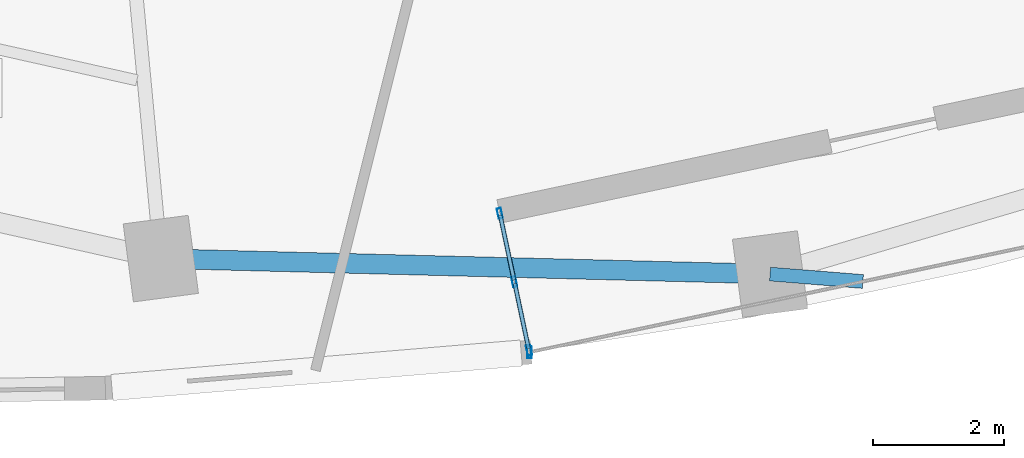
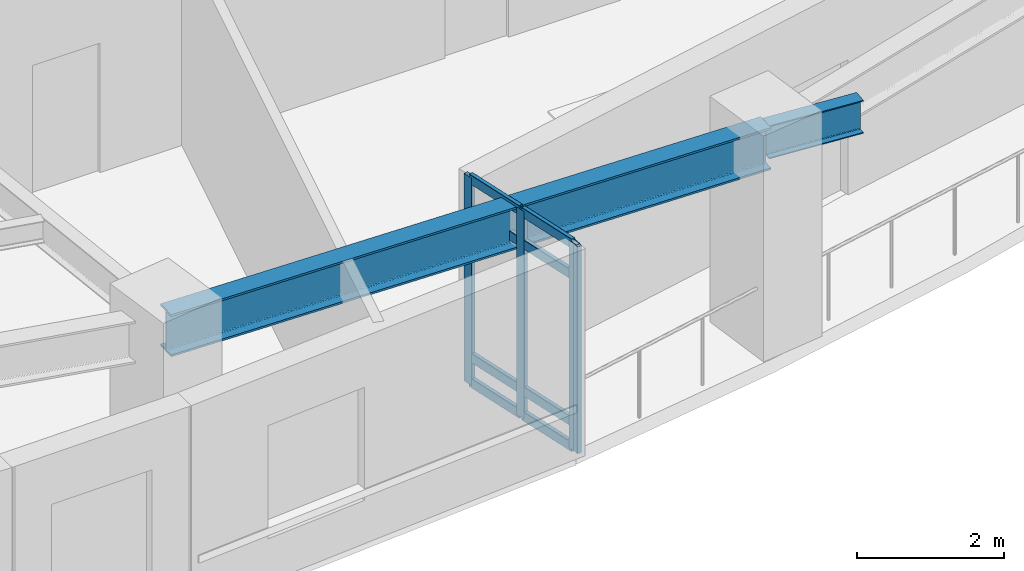
# One storey, part 2 of 12: 12 members, 2 beams, 1 element without a shape of its own.
"""IFC4 building model written with IfcOpenShell, lengths in metres."""

from ifc_helpers import new_model, si_unit, direction, frame, origin, origin_2d, place, context, subcontext, project, spatial, hollow_rectangle, i_section, extrude, material, layer, layer_set, material_profile, profile_set, type_object, element, aggregate, save


model = new_model("IFC4")

# Units and contexts
model_context = context("Model", 3, precision=1e-05, world=origin(), true_north=direction((0.0, 1.0)))
body_context = subcontext(model_context, "Body", "Model", "MODEL_VIEW")
ifc_project = project(units=[si_unit("LENGTHUNIT", "METRE"), si_unit("AREAUNIT", "SQUARE_METRE"), si_unit("VOLUMEUNIT", "CUBIC_METRE"), si_unit("PLANEANGLEUNIT", "RADIAN"), si_unit("MASSUNIT", "GRAM", prefix="KILO")], contexts=[model_context])

# Site, building, storey
site_placement = place(None, origin())
site = spatial("IfcSite", under=ifc_project, at=site_placement, CompositionType="ELEMENT")
building_placement = place(site_placement, origin())
building = spatial("IfcBuilding", under=site, at=building_placement, Name="Ndelora Gate Hotel", CompositionType="ELEMENT")
storey_placement = place(building_placement, frame((0.0, 0.0, 79.25)))
storey = spatial("IfcBuildingStorey", under=building, at=storey_placement, Name="L19", CompositionType="ELEMENT", Elevation=79.25)

# Beams
ifc_material_1 = material(Name="Steel S355", Category="steel")
ifc_material_profile_1 = material_profile(ifc_material_1, i_section(OverallWidth=0.2099609375, OverallDepth=0.550048828125, WebThickness=0.010986328125, FlangeThickness=0.01708984375, FilletRadius=0.02392578125, at=origin_2d()), Name="IPE 550")
ifc_profile_set_1 = profile_set([ifc_material_profile_1], Name="Steel S355")
beam_type_1 = type_object("IfcBeamType", Name="BM-RAD-550", PredefinedType="BEAM", material=ifc_profile_set_1)
beam_1_placement = place(storey_placement, frame((2.2646484375, -17.20166015625, 3.1650390625), z_axis=(0.996814185316, -0.079758886357, 0.0), x_axis=(0.079758886357, 0.996814185316, 0.0)))
element("IfcBeam", 1, at=beam_1_placement, inside=storey, type_object=beam_type_1, Name="L19 Sky-Garden Loggia Column Bracket 2", PredefinedType="BEAM", context=body_context, shape_type="SweptSolid", body=[
    extrude(i_section(OverallWidth=0.2099609375, OverallDepth=0.550048828125, WebThickness=0.010986328125, FlangeThickness=0.01708984375, FilletRadius=0.02392578125, at=origin_2d()), origin(), (0.0, 0.0, 1.0), 1.42041015625),
])
ifc_material_profile_2 = material_profile(ifc_material_1, i_section(OverallWidth=0.300048828125, OverallDepth=0.699951171875, WebThickness=0.01708984375, FlangeThickness=0.031982421875, FilletRadius=0.027099609375, at=origin_2d()), Name="HEB 700")
ifc_profile_set_2 = profile_set([ifc_material_profile_2], Name="Steel S355")
beam_type_2 = type_object("IfcBeamType", Name="BM-RING-700", PredefinedType="SPANDREL", material=ifc_profile_set_2)
beam_2_placement = place(storey_placement, frame((-7.027587890625, -16.96630859375, 3.090087890625), z_axis=(0.999679406439, -0.025319643409, 0.0), x_axis=(0.025319643409, 0.999679406439, 0.0)))
element("IfcBeam", 2, at=beam_2_placement, inside=storey, type_object=beam_type_2, Name="L19 Perimeter Spandrel Girder 6", PredefinedType="SPANDREL", context=body_context, shape_type="SweptSolid", body=[
    extrude(i_section(OverallWidth=0.300048828125, OverallDepth=0.699951171875, WebThickness=0.01708984375, FlangeThickness=0.031982421875, FilletRadius=0.027099609375, at=origin_2d()), origin(), (0.0, 0.0, 1.0), 9.295166015625),
])

# Curtain wall, members
ifc_material_2 = material(Name="Bronze Anodised Unitised Aluminium and Low-E Glass", Category="aluminium")
ifc_layer = layer(ifc_material_2, 0.199951171875)
ifc_layer_set = layer_set([ifc_layer], Name="Bronze Anodised Unitised Aluminium and Low-E Glass")
curtain_wall_type = type_object("IfcCurtainWallType", Name="CW-SYS-3", PredefinedType="NOTDEFINED", material=ifc_layer_set)
curtain_wall_placement = place(storey_placement, origin())
curtain_wall = element("IfcCurtainWall", 3, at=curtain_wall_placement, inside=storey, type_object=curtain_wall_type, Name="L19 Sky-Garden Loggia Side Curtain Wall CW3-1", PredefinedType="NOTDEFINED")
ifc_material_3 = material(Name="Bronze Anodised Aluminium 6063-T6", Category="aluminium")
ifc_material_profile_3 = material_profile(ifc_material_3, hollow_rectangle(XDim=0.06494140625, YDim=0.159912109375, WallThickness=0.00390625, InnerFilletRadius=0.00390625, OuterFilletRadius=0.008056640625, at=origin_2d()), Name="ALU 160x65x4")
ifc_profile_set_3 = profile_set([ifc_material_profile_3], Name="Bronze Anodised Aluminium 6063-T6")
member_type_1 = type_object("IfcMemberType", Name="MB-CW-MUL150", PredefinedType="MULLION", material=ifc_profile_set_3)
member_1_placement = place(storey_placement, frame((-1.856689453125, -16.27587890625, -0.00390625), z_axis=(0.0, 0.0, 1.0), x_axis=(0.978147643724, 0.207911488567, 0.0)))
member_1 = element("IfcMember", 4, at=member_1_placement, type_object=member_type_1, Name="CW3 mullion 1", PredefinedType="MULLION", context=body_context, shape_type="SweptSolid", body=[
    extrude(hollow_rectangle(XDim=0.06494140625, YDim=0.159912109375, WallThickness=0.00390625, InnerFilletRadius=0.00390625, OuterFilletRadius=0.008056640625, at=origin_2d()), origin(), (0.0, 0.0, 1.0), 3.447998046875),
])
member_2_placement = place(storey_placement, frame((-1.634765625, -17.320068359375, -0.00390625), z_axis=(0.0, 0.0, 1.0), x_axis=(0.978147643724, 0.207911488567, 0.0)))
member_2 = element("IfcMember", 5, at=member_2_placement, type_object=member_type_1, Name="CW3 mullion 2", PredefinedType="MULLION", context=body_context, shape_type="SweptSolid", body=[
    extrude(hollow_rectangle(XDim=0.06494140625, YDim=0.159912109375, WallThickness=0.00390625, InnerFilletRadius=0.00390625, OuterFilletRadius=0.008056640625, at=origin_2d()), origin(), (0.0, 0.0, 1.0), 3.447998046875),
])
member_3_placement = place(storey_placement, frame((-1.412841796875, -18.3642578125, -0.00390625), z_axis=(0.0, 0.0, 1.0), x_axis=(0.978147643724, 0.207911488567, 0.0)))
member_3 = element("IfcMember", 6, at=member_3_placement, type_object=member_type_1, Name="CW3 mullion 3", PredefinedType="MULLION", context=body_context, shape_type="SweptSolid", body=[
    extrude(hollow_rectangle(XDim=0.06494140625, YDim=0.159912109375, WallThickness=0.00390625, InnerFilletRadius=0.00390625, OuterFilletRadius=0.008056640625, at=origin_2d()), origin(), (0.0, 0.0, 1.0), 3.447998046875),
])
ifc_material_profile_4 = material_profile(ifc_material_3, hollow_rectangle(XDim=0.070068359375, YDim=0.179931640625, WallThickness=0.0048828125, InnerFilletRadius=0.0048828125, OuterFilletRadius=0.010009765625, at=origin_2d()), Name="ALU 180x70x5")
ifc_profile_set_4 = profile_set([ifc_material_profile_4], Name="Bronze Anodised Aluminium 6063-T6")
member_type_2 = type_object("IfcMemberType", Name="MB-CW-MUL180", PredefinedType="MULLION", material=ifc_profile_set_4)
member_4_placement = place(storey_placement, frame((-1.406005859375, -18.39599609375, 0.0), z_axis=(0.0, 0.0, 1.0), x_axis=(1.0, 0.0, 0.0)))
member_4 = element("IfcMember", 7, at=member_4_placement, type_object=member_type_2, Name="L19 Sky-Garden Loggia Corner Mullion Post 1", PredefinedType="MULLION", context=body_context, shape_type="SweptSolid", body=[
    extrude(hollow_rectangle(XDim=0.070068359375, YDim=0.179931640625, WallThickness=0.0048828125, InnerFilletRadius=0.0048828125, OuterFilletRadius=0.010009765625, at=origin_2d()), origin(), (0.0, 0.0, 1.0), 3.43994140625),
])
ifc_material_profile_5 = material_profile(ifc_material_3, hollow_rectangle(XDim=0.06494140625, YDim=0.159912109375, WallThickness=0.00390625, InnerFilletRadius=0.00390625, OuterFilletRadius=0.008056640625, at=origin_2d()), Name="ALU 160x65x4")
ifc_profile_set_5 = profile_set([ifc_material_profile_5], Name="Bronze Anodised Aluminium 6063-T6")
member_type_3 = type_object("IfcMemberType", Name="MB-CW-TRN150", PredefinedType="USERDEFINED", material=ifc_profile_set_5)
member_5_placement = place(storey_placement, frame((-1.85107421875, -16.302001953125, 0.032470703125), z_axis=(0.207950868925, -0.97813927235, 0.0), x_axis=(0.97813927235, 0.207950868925, 0.0)))
member_5 = element("IfcMember", 8, at=member_5_placement, type_object=member_type_3, Name="CW3 transom 1.1", ObjectType="TRANSOM", PredefinedType="USERDEFINED", context=body_context, shape_type="SweptSolid", body=[
    extrude(hollow_rectangle(XDim=0.06494140625, YDim=0.159912109375, WallThickness=0.00390625, InnerFilletRadius=0.00390625, OuterFilletRadius=0.008056640625, at=origin_2d()), origin(), (0.0, 0.0, 1.0), 1.014404296875),
])
member_6_placement = place(storey_placement, frame((-1.85107421875, -16.302001953125, 0.449951171875), z_axis=(0.207950868925, -0.97813927235, 0.0), x_axis=(0.97813927235, 0.207950868925, 0.0)))
member_6 = element("IfcMember", 9, at=member_6_placement, type_object=member_type_3, Name="CW3 transom 1.2", ObjectType="TRANSOM", PredefinedType="USERDEFINED", context=body_context, shape_type="SweptSolid", body=[
    extrude(hollow_rectangle(XDim=0.06494140625, YDim=0.159912109375, WallThickness=0.00390625, InnerFilletRadius=0.00390625, OuterFilletRadius=0.008056640625, at=origin_2d()), origin(), (0.0, 0.0, 1.0), 1.014404296875),
])
member_7_placement = place(storey_placement, frame((-1.85107421875, -16.302001953125, 2.889892578125), z_axis=(0.207950868925, -0.97813927235, 0.0), x_axis=(0.97813927235, 0.207950868925, 0.0)))
member_7 = element("IfcMember", 10, at=member_7_placement, type_object=member_type_3, Name="CW3 transom 1.3", ObjectType="TRANSOM", PredefinedType="USERDEFINED", context=body_context, shape_type="SweptSolid", body=[
    extrude(hollow_rectangle(XDim=0.06494140625, YDim=0.159912109375, WallThickness=0.00390625, InnerFilletRadius=0.00390625, OuterFilletRadius=0.008056640625, at=origin_2d()), origin(), (0.0, 0.0, 1.0), 1.014404296875),
])
member_8_placement = place(storey_placement, frame((-1.85107421875, -16.302001953125, 3.407470703125), z_axis=(0.207950868925, -0.97813927235, 0.0), x_axis=(0.97813927235, 0.207950868925, 0.0)))
member_8 = element("IfcMember", 11, at=member_8_placement, type_object=member_type_3, Name="CW3 transom 1.4", ObjectType="TRANSOM", PredefinedType="USERDEFINED", context=body_context, shape_type="SweptSolid", body=[
    extrude(hollow_rectangle(XDim=0.06494140625, YDim=0.159912109375, WallThickness=0.00390625, InnerFilletRadius=0.00390625, OuterFilletRadius=0.008056640625, at=origin_2d()), origin(), (0.0, 0.0, 1.0), 1.014404296875),
])
member_9_placement = place(storey_placement, frame((-1.629150390625, -17.34619140625, 0.032470703125), z_axis=(0.207950868925, -0.97813927235, 0.0), x_axis=(0.97813927235, 0.207950868925, 0.0)))
member_9 = element("IfcMember", 12, at=member_9_placement, type_object=member_type_3, Name="CW3 transom 2.1", ObjectType="TRANSOM", PredefinedType="USERDEFINED", context=body_context, shape_type="SweptSolid", body=[
    extrude(hollow_rectangle(XDim=0.06494140625, YDim=0.159912109375, WallThickness=0.00390625, InnerFilletRadius=0.00390625, OuterFilletRadius=0.008056640625, at=origin_2d()), origin(), (0.0, 0.0, 1.0), 1.014404296875),
])
member_10_placement = place(storey_placement, frame((-1.629150390625, -17.34619140625, 0.449951171875), z_axis=(0.207950868925, -0.97813927235, 0.0), x_axis=(0.97813927235, 0.207950868925, 0.0)))
member_10 = element("IfcMember", 13, at=member_10_placement, type_object=member_type_3, Name="CW3 transom 2.2", ObjectType="TRANSOM", PredefinedType="USERDEFINED", context=body_context, shape_type="SweptSolid", body=[
    extrude(hollow_rectangle(XDim=0.06494140625, YDim=0.159912109375, WallThickness=0.00390625, InnerFilletRadius=0.00390625, OuterFilletRadius=0.008056640625, at=origin_2d()), origin(), (0.0, 0.0, 1.0), 1.014404296875),
])
member_11_placement = place(storey_placement, frame((-1.629150390625, -17.34619140625, 2.889892578125), z_axis=(0.207950868925, -0.97813927235, 0.0), x_axis=(0.97813927235, 0.207950868925, 0.0)))
member_11 = element("IfcMember", 14, at=member_11_placement, type_object=member_type_3, Name="CW3 transom 2.3", ObjectType="TRANSOM", PredefinedType="USERDEFINED", context=body_context, shape_type="SweptSolid", body=[
    extrude(hollow_rectangle(XDim=0.06494140625, YDim=0.159912109375, WallThickness=0.00390625, InnerFilletRadius=0.00390625, OuterFilletRadius=0.008056640625, at=origin_2d()), origin(), (0.0, 0.0, 1.0), 1.014404296875),
])
member_12_placement = place(storey_placement, frame((-1.629150390625, -17.34619140625, 3.407470703125), z_axis=(0.207950868925, -0.97813927235, 0.0), x_axis=(0.97813927235, 0.207950868925, 0.0)))
member_12 = element("IfcMember", 15, at=member_12_placement, type_object=member_type_3, Name="CW3 transom 2.4", ObjectType="TRANSOM", PredefinedType="USERDEFINED", context=body_context, shape_type="SweptSolid", body=[
    extrude(hollow_rectangle(XDim=0.06494140625, YDim=0.159912109375, WallThickness=0.00390625, InnerFilletRadius=0.00390625, OuterFilletRadius=0.008056640625, at=origin_2d()), origin(), (0.0, 0.0, 1.0), 1.014404296875),
])
aggregate(curtain_wall, [member_1, member_2, member_3, member_5, member_6, member_7, member_8, member_9, member_10, member_11, member_12, member_4])

save(model, "model.ifc")
